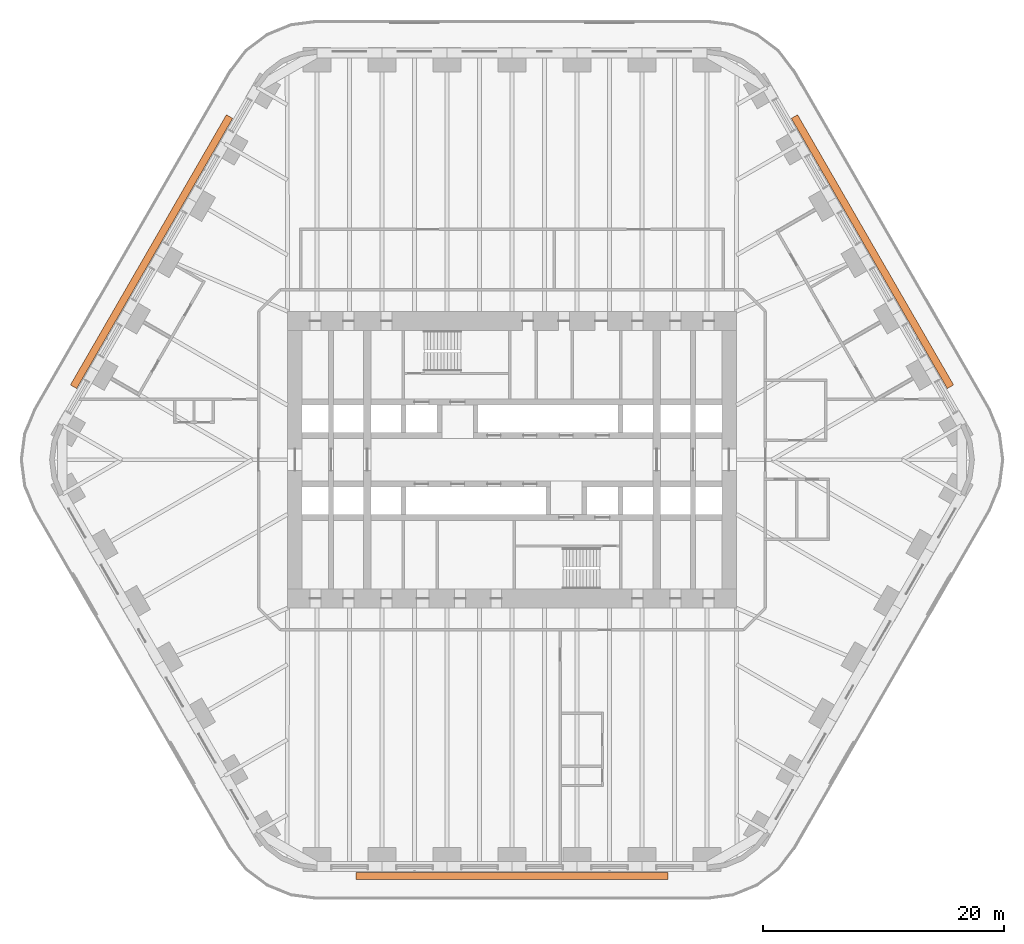
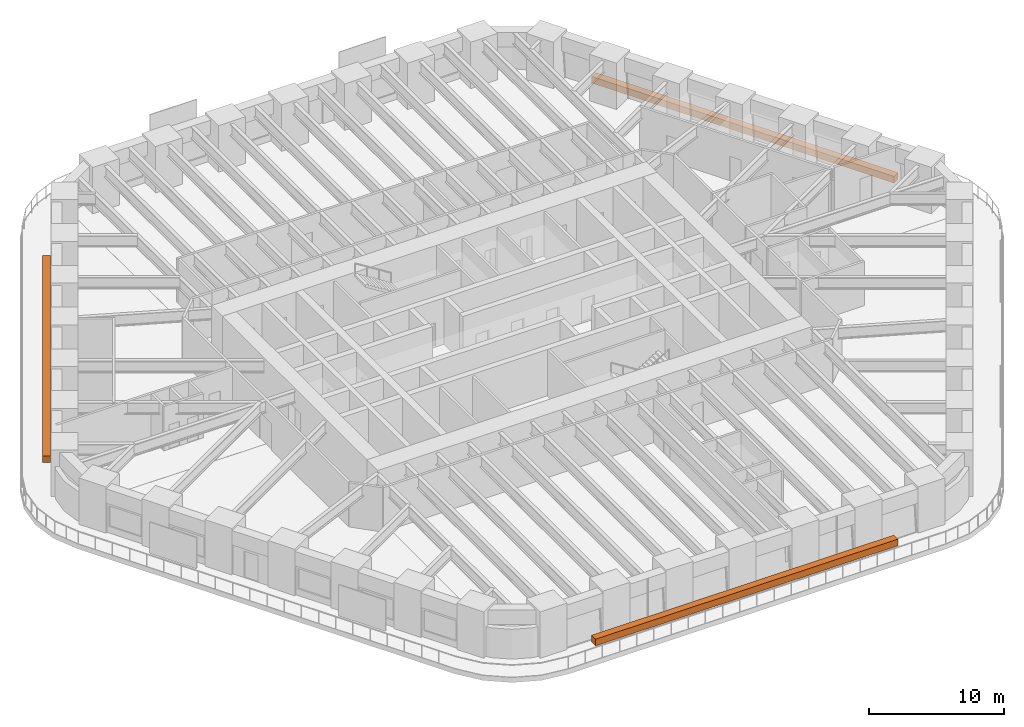
# One storey, part 23 of 23: 3 proxies.
"""IFC4 building model written with IfcOpenShell, lengths in metres."""

from ifc_helpers import new_model, si_unit, direction, frame, origin, origin_2d, place, context, subcontext, project, spatial, rectangle, extrude, material, element, save


model = new_model("IFC4")

# Units and contexts
model_context = context("Model", 3, precision=1e-05, world=origin(), true_north=direction((0.0, 1.0)))
body_context = subcontext(model_context, "Body", "Model", "MODEL_VIEW")
ifc_project = project(units=[si_unit("LENGTHUNIT", "METRE"), si_unit("AREAUNIT", "SQUARE_METRE"), si_unit("VOLUMEUNIT", "CUBIC_METRE"), si_unit("PLANEANGLEUNIT", "RADIAN"), si_unit("MASSUNIT", "GRAM", prefix="KILO")], contexts=[model_context])

# Site, building, storey
site_placement = place(None, origin())
site = spatial("IfcSite", under=ifc_project, at=site_placement, CompositionType="ELEMENT")
building_placement = place(site_placement, origin())
building = spatial("IfcBuilding", under=site, at=building_placement, Name="Tarfa Lantern Tower", CompositionType="ELEMENT")
storey_placement = place(building_placement, frame((0.0, 0.0, 40.300048828125)))
storey = spatial("IfcBuildingStorey", under=building, at=storey_placement, Name="L08", CompositionType="ELEMENT", Elevation=40.300048828125)

# Proxies
ifc_material = material(Name="Planting bed")
for number, where, z_axis, x_axis, name in (
    (1, (29.8779296875, 17.25, 0.0), (0.0, 0.0, 1.0), (-0.5, 0.866025403784, 0.0), "Balcony planter"),
    (2, (-29.8779296875, 17.25, 0.0), (0.0, 0.0, 1.0), (-0.5, -0.866025403784, 0.0), "Balcony planter"),
    (3, (0.0, -34.5, 0.0), (0.0, 0.0, 1.0), (1.0, 0.0, 0.0), "Balcony planter"),
):
    element("IfcBuildingElementProxy", number, at=place(storey_placement, frame(where, z_axis=z_axis, x_axis=x_axis)), inside=storey, material=ifc_material, Name=name, ObjectType="PLANTER", PredefinedType="USERDEFINED", context=body_context, shape_type="SweptSolid", body=[
        extrude(rectangle(XDim=25.865234375, YDim=0.60009765625, at=origin_2d()), origin(), (0.0, 0.0, 1.0), 0.60009765625),
    ])

save(model, "model.ifc")
